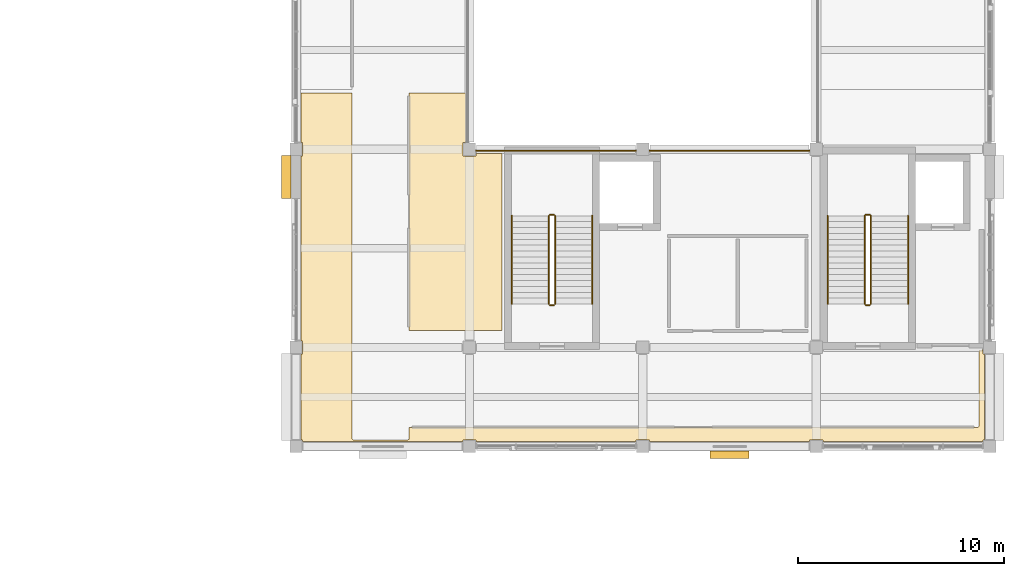
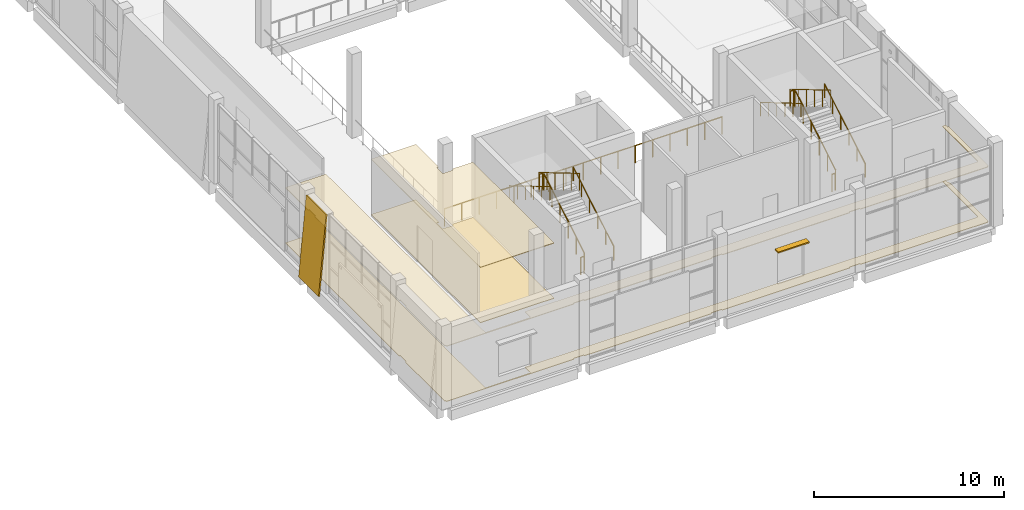
# One storey, part 55 of 57: 13 railings, 5 coverings, 1 shading device.
"""IFC4 building model written with IfcOpenShell, lengths in metres."""

from ifc_helpers import new_model, si_unit, direction, frame, origin, origin_2d, place, context, subcontext, project, spatial, polyline, rectangle, circle, outline, extrude, material, layer, layer_set, type_object, element, save


model = new_model("IFC4")

# Units and contexts
model_context = context("Model", 3, precision=1e-05, world=origin(), true_north=direction((0.0, 1.0)))
body_context = subcontext(model_context, "Body", "Model", "MODEL_VIEW")
ifc_project = project(units=[si_unit("LENGTHUNIT", "METRE"), si_unit("AREAUNIT", "SQUARE_METRE"), si_unit("VOLUMEUNIT", "CUBIC_METRE"), si_unit("PLANEANGLEUNIT", "RADIAN"), si_unit("MASSUNIT", "GRAM", prefix="KILO")], contexts=[model_context])

# Site, building, storey
site_placement = place(None, origin())
site = spatial("IfcSite", under=ifc_project, at=site_placement, CompositionType="ELEMENT")
building_placement = place(site_placement, origin())
building = spatial("IfcBuilding", under=site, at=building_placement, Name="Shalvenor Court Art Gallery", CompositionType="ELEMENT")
storey_placement = place(building_placement, frame((0.0, 0.0, 16.800048828125)))
storey = spatial("IfcBuildingStorey", under=building, at=storey_placement, Name="L03", CompositionType="ELEMENT", Elevation=16.800048828125)

# Coverings
ifc_material_1 = material(Name="Pale Mediterranean limestone cladding", Category="masonry")
ifc_layer_1 = layer(ifc_material_1, 0.080078125, Name="Pale Mediterranean limestone cladding")
ifc_layer_set_1 = layer_set([ifc_layer_1], Name="Pale Mediterranean limestone cladding")
covering_type_1 = type_object("IfcCoveringType", Name="CLD-01", PredefinedType="CLADDING", material=ifc_layer_set_1)
covering_1_placement = place(storey_placement, frame((142.10595703125, 59.699951171875, 0.0), z_axis=(0.0, 0.0, 1.0), x_axis=(0.0, -1.0, 0.0)))
element("IfcCovering", 1, at=covering_1_placement, inside=storey, type_object=covering_type_1, Name="L03 V1 Tapered Limestone Cladding 18", PredefinedType="CLADDING", context=body_context, shape_type="SweptSolid", body=[
    extrude(outline(polyline([(0.0, 0.0), (2.099853515625, 0.0), (2.099853515625, 5.120849609375), (0.0, 5.120849609375), (0.0, 0.0)])), frame((0.0, 0.0, 0.0), z_axis=(0.0, -0.995884398616, 0.090632580198), x_axis=(1.0, 0.0, 0.0)), (0.0, 0.090632580198, -0.995884398616), 0.080322265625),
])
ifc_material_2 = material(Name="Perforated acoustic gypsum gallery ceiling", Category="other")
ifc_layer_2 = layer(ifc_material_2, 0.044921875, Name="Perforated acoustic gypsum gallery ceiling")
ifc_layer_set_2 = layer_set([ifc_layer_2], Name="Perforated acoustic gypsum gallery ceiling")
covering_type_2 = type_object("IfcCoveringType", Name="CLG-01", PredefinedType="CEILING", material=ifc_layer_set_2)
covering_2_placement = place(storey_placement, frame((0.0, 0.0, 3.550048828125)))
element("IfcCovering", 2, at=covering_2_placement, inside=storey, type_object=covering_type_2, Name="L03 Photography Exhibition Gallery Acoustic Ceiling", PredefinedType="CEILING", context=body_context, shape_type="SweptSolid", body=[
    extrude(outline(polyline([(145.5205078125, 45.9921875), (145.521484375, 45.984375), (145.5234375, 45.976806640625), (145.526123046875, 45.969482421875), (145.529296875, 45.96240234375), (145.533447265625, 45.95556640625), (145.5380859375, 45.94921875), (145.54345703125, 45.943359375), (145.54931640625, 45.938232421875), (145.5556640625, 45.93359375), (145.562255859375, 45.929443359375), (145.5693359375, 45.926025390625), (145.576904296875, 45.92333984375), (145.58447265625, 45.92138671875), (145.59228515625, 45.92041015625), (145.60009765625, 45.919921875), (148.199951171875, 45.919921875), (148.207763671875, 45.92041015625), (148.215576171875, 45.92138671875), (148.22314453125, 45.92333984375), (148.230712890625, 45.926025390625), (148.23779296875, 45.929443359375), (148.244384765625, 45.93359375), (148.250732421875, 45.938232421875), (148.256591796875, 45.943359375), (148.26171875, 45.94921875), (148.2666015625, 45.95556640625), (148.2705078125, 45.96240234375), (148.27392578125, 45.969482421875), (148.276611328125, 45.976806640625), (148.278564453125, 45.984375), (148.279541015625, 45.9921875), (148.280029296875, 46.0), (148.280029296875, 46.52001953125), (175.800048828125, 46.52001953125), (175.807861328125, 46.5205078125), (175.815673828125, 46.521484375), (175.8232421875, 46.5234375), (175.83056640625, 46.526123046875), (175.837646484375, 46.529296875), (175.844482421875, 46.533447265625), (175.850830078125, 46.5380859375), (175.856689453125, 46.54345703125), (175.86181640625, 46.54931640625), (175.866455078125, 46.5556640625), (175.87060546875, 46.562255859375), (175.873779296875, 46.5693359375), (175.876708984375, 46.576904296875), (175.87841796875, 46.58447265625), (175.879638671875, 46.59228515625), (175.8798828125, 46.60009765625), (175.8798828125, 50.280029296875), (176.0, 50.280029296875), (176.021484375, 50.281005859375), (176.04296875, 50.2841796875), (176.06396484375, 50.28955078125), (176.080078125, 50.295166015625), (176.080078125, 50.080078125), (176.14990234375, 50.080078125), (176.14990234375, 45.919921875), (176.080078125, 45.919921875), (176.080078125, 45.85009765625), (168.320068359375, 45.85009765625), (168.320068359375, 45.919921875), (167.679931640625, 45.919921875), (167.679931640625, 45.85009765625), (159.919921875, 45.85009765625), (159.919921875, 45.919921875), (159.280029296875, 45.919921875), (159.280029296875, 45.85009765625), (151.52001953125, 45.85009765625), (151.52001953125, 45.919921875), (150.8798828125, 45.919921875), (150.8798828125, 45.85009765625), (143.1201171875, 45.85009765625), (143.1201171875, 45.919921875), (143.050048828125, 45.919921875), (143.050048828125, 50.080078125), (143.1201171875, 50.080078125), (143.1201171875, 50.719970703125), (143.050048828125, 50.719970703125), (143.050048828125, 59.679931640625), (143.1201171875, 59.679931640625), (143.1201171875, 60.320068359375), (143.050048828125, 60.320068359375), (143.050048828125, 62.719970703125), (145.52001953125, 62.719970703125), (145.52001953125, 46.0), (145.5205078125, 45.9921875)])), origin(), (0.0, 0.0, 1.0), 0.044921875),
])
covering_3_placement = place(storey_placement, frame((0.0, 0.0, 3.550048828125)))
element("IfcCovering", 3, at=covering_3_placement, inside=storey, type_object=covering_type_2, Name="L03 Photography Exhibition Gallery Wing B Acoustic Ceiling", PredefinedType="CEILING", context=body_context, shape_type="SweptSolid", body=[
    extrude(outline(polyline([(152.780029296875, 51.22998046875), (148.280029296875, 51.22998046875), (148.280029296875, 62.719970703125), (151.0, 62.719970703125), (151.0, 60.320068359375), (150.8798828125, 60.320068359375), (150.8798828125, 59.679931640625), (151.52001953125, 59.679931640625), (151.52001953125, 59.800048828125), (152.780029296875, 59.800048828125), (152.780029296875, 51.22998046875)])), origin(), (0.0, 0.0, 1.0), 0.044921875),
])
ifc_material_3 = material(Name="Quarter-sawn white oak gallery flooring", Category="wood")
ifc_layer_3 = layer(ifc_material_3, 0.031982421875, Name="Quarter-sawn white oak gallery flooring")
ifc_layer_set_3 = layer_set([ifc_layer_3], Name="Quarter-sawn white oak gallery flooring")
covering_type_3 = type_object("IfcCoveringType", Name="FLR-02", PredefinedType="FLOORING", material=ifc_layer_set_3)
covering_4_placement = place(storey_placement, origin())
element("IfcCovering", 4, at=covering_4_placement, inside=storey, type_object=covering_type_3, Name="L03 Photography Exhibition Gallery Flooring", PredefinedType="FLOORING", context=body_context, shape_type="SweptSolid", body=[
    extrude(outline(polyline([(145.5205078125, 45.9921875), (145.521484375, 45.984375), (145.5234375, 45.976806640625), (145.526123046875, 45.969482421875), (145.529296875, 45.96240234375), (145.533447265625, 45.95556640625), (145.5380859375, 45.94921875), (145.54345703125, 45.943359375), (145.54931640625, 45.938232421875), (145.5556640625, 45.93359375), (145.562255859375, 45.929443359375), (145.5693359375, 45.926025390625), (145.576904296875, 45.92333984375), (145.58447265625, 45.92138671875), (145.59228515625, 45.92041015625), (145.60009765625, 45.919921875), (148.199951171875, 45.919921875), (148.207763671875, 45.92041015625), (148.215576171875, 45.92138671875), (148.22314453125, 45.92333984375), (148.230712890625, 45.926025390625), (148.23779296875, 45.929443359375), (148.244384765625, 45.93359375), (148.250732421875, 45.938232421875), (148.256591796875, 45.943359375), (148.26171875, 45.94921875), (148.2666015625, 45.95556640625), (148.2705078125, 45.96240234375), (148.27392578125, 45.969482421875), (148.276611328125, 45.976806640625), (148.278564453125, 45.984375), (148.279541015625, 45.9921875), (148.280029296875, 46.0), (148.280029296875, 46.52001953125), (175.800048828125, 46.52001953125), (175.807861328125, 46.5205078125), (175.815673828125, 46.521484375), (175.8232421875, 46.5234375), (175.83056640625, 46.526123046875), (175.837646484375, 46.529296875), (175.844482421875, 46.533447265625), (175.850830078125, 46.5380859375), (175.856689453125, 46.54345703125), (175.86181640625, 46.54931640625), (175.866455078125, 46.5556640625), (175.87060546875, 46.562255859375), (175.873779296875, 46.5693359375), (175.876708984375, 46.576904296875), (175.87841796875, 46.58447265625), (175.879638671875, 46.59228515625), (175.8798828125, 46.60009765625), (175.8798828125, 50.280029296875), (176.0, 50.280029296875), (176.021484375, 50.281005859375), (176.04296875, 50.2841796875), (176.06396484375, 50.28955078125), (176.080078125, 50.295166015625), (176.080078125, 50.080078125), (176.14990234375, 50.080078125), (176.14990234375, 45.919921875), (176.080078125, 45.919921875), (176.080078125, 45.85009765625), (168.320068359375, 45.85009765625), (168.320068359375, 45.919921875), (167.679931640625, 45.919921875), (167.679931640625, 45.85009765625), (159.919921875, 45.85009765625), (159.919921875, 45.919921875), (159.280029296875, 45.919921875), (159.280029296875, 45.85009765625), (151.52001953125, 45.85009765625), (151.52001953125, 45.919921875), (150.8798828125, 45.919921875), (150.8798828125, 45.85009765625), (143.1201171875, 45.85009765625), (143.1201171875, 45.919921875), (143.050048828125, 45.919921875), (143.050048828125, 50.080078125), (143.1201171875, 50.080078125), (143.1201171875, 50.719970703125), (143.050048828125, 50.719970703125), (143.050048828125, 59.679931640625), (143.1201171875, 59.679931640625), (143.1201171875, 60.320068359375), (143.050048828125, 60.320068359375), (143.050048828125, 62.719970703125), (145.52001953125, 62.719970703125), (145.52001953125, 46.0), (145.5205078125, 45.9921875)])), origin(), (0.0, 0.0, 1.0), 0.031982421875),
])
covering_5_placement = place(storey_placement, origin())
element("IfcCovering", 5, at=covering_5_placement, inside=storey, type_object=covering_type_3, Name="L03 Photography Exhibition Gallery Wing B Flooring", PredefinedType="FLOORING", context=body_context, shape_type="SweptSolid", body=[
    extrude(outline(polyline([(152.780029296875, 51.22998046875), (148.280029296875, 51.22998046875), (148.280029296875, 62.719970703125), (151.0, 62.719970703125), (151.0, 60.320068359375), (150.8798828125, 60.320068359375), (150.8798828125, 59.679931640625), (151.52001953125, 59.679931640625), (151.52001953125, 59.800048828125), (152.780029296875, 59.800048828125), (152.780029296875, 51.22998046875)])), origin(), (0.0, 0.0, 1.0), 0.031982421875),
])

# Railings
ifc_material_4 = material(Name="Stainless steel and laminated glass balustrade", Category="steel")
railing_type_1 = type_object("IfcRailingType", Name="GR-01", PredefinedType="BALUSTRADE", material=ifc_material_4)
railing_1_placement = place(storey_placement, frame((151.1201171875, 59.919921875, 0.0)))
element("IfcRailing", 6, at=railing_1_placement, inside=storey, type_object=railing_type_1, Name="L03 Atrium Gallery Balustrade 1", PredefinedType="BALUSTRADE", context=body_context, shape_type="SweptSolid", body=[
    extrude(circle(Radius=0.02392578125, at=origin_2d()), frame((0.0, 0.0, 1.09619140625), z_axis=(1.0, 0.0, 0.0), x_axis=(0.0, 1.0, 0.0)), (0.0, 0.0, 1.0), 16.89990234375),
    extrude(circle(Radius=0.02099609375, at=origin_2d()), origin(), (0.0, 0.0, 1.0), 1.072021484375),
    extrude(circle(Radius=0.02099609375, at=origin_2d()), frame((1.05615234375, 0.0, 0.0)), (0.0, 0.0, 1.0), 1.072021484375),
    extrude(circle(Radius=0.02099609375, at=origin_2d()), frame((2.112548828125, 0.0, 0.0)), (0.0, 0.0, 1.0), 1.072021484375),
    extrude(circle(Radius=0.02099609375, at=origin_2d()), frame((3.168701171875, 0.0, 0.0)), (0.0, 0.0, 1.0), 1.072021484375),
    extrude(circle(Radius=0.02099609375, at=origin_2d()), frame((4.22509765625, 0.0, 0.0)), (0.0, 0.0, 1.0), 1.072021484375),
    extrude(circle(Radius=0.02099609375, at=origin_2d()), frame((5.28125, 0.0, 0.0)), (0.0, 0.0, 1.0), 1.072021484375),
    extrude(circle(Radius=0.02099609375, at=origin_2d()), frame((6.33740234375, 0.0, 0.0)), (0.0, 0.0, 1.0), 1.072021484375),
    extrude(circle(Radius=0.02099609375, at=origin_2d()), frame((7.393798828125, 0.0, 0.0)), (0.0, 0.0, 1.0), 1.072021484375),
    extrude(circle(Radius=0.02099609375, at=origin_2d()), frame((8.449951171875, 0.0, 0.0)), (0.0, 0.0, 1.0), 1.072021484375),
    extrude(circle(Radius=0.02099609375, at=origin_2d()), frame((9.506103515625, 0.0, 0.0)), (0.0, 0.0, 1.0), 1.072021484375),
    extrude(circle(Radius=0.02099609375, at=origin_2d()), frame((10.5625, 0.0, 0.0)), (0.0, 0.0, 1.0), 1.072021484375),
    extrude(circle(Radius=0.02099609375, at=origin_2d()), frame((11.61865234375, 0.0, 0.0)), (0.0, 0.0, 1.0), 1.072021484375),
    extrude(circle(Radius=0.02099609375, at=origin_2d()), frame((12.6748046875, 0.0, 0.0)), (0.0, 0.0, 1.0), 1.072021484375),
    extrude(circle(Radius=0.02099609375, at=origin_2d()), frame((13.731201171875, 0.0, 0.0)), (0.0, 0.0, 1.0), 1.072021484375),
    extrude(circle(Radius=0.02099609375, at=origin_2d()), frame((14.787353515625, 0.0, 0.0)), (0.0, 0.0, 1.0), 1.072021484375),
    extrude(circle(Radius=0.02099609375, at=origin_2d()), frame((15.84375, 0.0, 0.0)), (0.0, 0.0, 1.0), 1.072021484375),
    extrude(circle(Radius=0.02099609375, at=origin_2d()), frame((16.89990234375, 0.0, 0.0)), (0.0, 0.0, 1.0), 1.072021484375),
])
ifc_material_5 = material(Name="Painted steel post-and-rail guard", Category="steel")
railing_type_2 = type_object("IfcRailingType", Name="GR-02", PredefinedType="GUARDRAIL", material=ifc_material_5)
railing_2_placement = place(storey_placement, frame((170.64990234375, 52.5, 0.168701171875)))
element("IfcRailing", 7, at=railing_2_placement, inside=storey, type_object=railing_type_2, Name="L03 ST-02 Stair Guard 1", PredefinedType="GUARDRAIL", context=body_context, shape_type="SweptSolid", body=[
    extrude(circle(Radius=0.02392578125, at=origin_2d()), frame((0.0, 0.0, 1.09619140625), z_axis=(0.0, 0.860470286479, 0.509500624227), x_axis=(-1.0, 0.0, 0.0)), (0.0, 0.0, 1.0), 4.968017578125),
    extrude(circle(Radius=0.02099609375, at=origin_2d()), origin(), (0.0, 0.0, 1.0), 1.072021484375),
    extrude(circle(Radius=0.02099609375, at=origin_2d()), frame((0.0, 0.85498046875, 0.50634765625)), (0.0, 0.0, 1.0), 1.072021484375),
    extrude(circle(Radius=0.02099609375, at=origin_2d()), frame((0.0, 1.7099609375, 1.012451171875)), (0.0, 0.0, 1.0), 1.072021484375),
    extrude(circle(Radius=0.02099609375, at=origin_2d()), frame((0.0, 2.56494140625, 1.518798828125)), (0.0, 0.0, 1.0), 1.072021484375),
    extrude(circle(Radius=0.02099609375, at=origin_2d()), frame((0.0, 3.419921875, 2.02490234375)), (0.0, 0.0, 1.0), 1.072021484375),
    extrude(circle(Radius=0.02099609375, at=origin_2d()), frame((0.0, 4.27490234375, 2.53125)), (0.0, 0.0, 1.0), 1.072021484375),
])
railing_3_placement = place(storey_placement, frame((170.60009765625, 56.824951171875, 2.699951171875)))
element("IfcRailing", 8, at=railing_3_placement, inside=storey, type_object=railing_type_2, Name="L03 ST-02 Stair Guard 2", PredefinedType="GUARDRAIL", context=body_context, shape_type="SweptSolid", body=[
    extrude(circle(Radius=0.02392578125, at=origin_2d()), frame((0.0, 0.0, 1.09619140625), z_axis=(-1.0, 0.0, 0.0), x_axis=(0.0, -1.0, 0.0)), (0.0, 0.0, 1.0), 0.2001953125),
    extrude(circle(Radius=0.02099609375, at=origin_2d()), origin(), (0.0, 0.0, 1.0), 1.072021484375),
    extrude(circle(Radius=0.02099609375, at=origin_2d()), frame((-0.2001953125, 0.0, 0.0)), (0.0, 0.0, 1.0), 1.072021484375),
])
railing_4_placement = place(storey_placement, frame((170.35009765625, 56.77490234375, 2.86865234375)))
element("IfcRailing", 9, at=railing_4_placement, inside=storey, type_object=railing_type_2, Name="L03 ST-02 Stair Guard 3", PredefinedType="GUARDRAIL", context=body_context, shape_type="SweptSolid", body=[
    extrude(circle(Radius=0.02392578125, at=origin_2d()), frame((0.0, 0.0, 1.09619140625), z_axis=(0.0, -0.860470286479, 0.509500624227), x_axis=(1.0, 0.0, 0.0)), (0.0, 0.0, 1.0), 4.968017578125),
    extrude(circle(Radius=0.02099609375, at=origin_2d()), origin(), (0.0, 0.0, 1.0), 1.072021484375),
    extrude(circle(Radius=0.02099609375, at=origin_2d()), frame((0.0, -0.85498046875, 0.50634765625)), (0.0, 0.0, 1.0), 1.072021484375),
    extrude(circle(Radius=0.02099609375, at=origin_2d()), frame((0.0, -1.7099609375, 1.012451171875)), (0.0, 0.0, 1.0), 1.072021484375),
    extrude(circle(Radius=0.02099609375, at=origin_2d()), frame((0.0, -2.56494140625, 1.518798828125)), (0.0, 0.0, 1.0), 1.072021484375),
    extrude(circle(Radius=0.02099609375, at=origin_2d()), frame((0.0, -3.419921875, 2.02490234375)), (0.0, 0.0, 1.0), 1.072021484375),
    extrude(circle(Radius=0.02099609375, at=origin_2d()), frame((0.0, -4.27490234375, 2.53125)), (0.0, 0.0, 1.0), 1.072021484375),
])
railing_5_placement = place(storey_placement, frame((170.60009765625, 52.449951171875, 0.0)))
element("IfcRailing", 10, at=railing_5_placement, inside=storey, type_object=railing_type_2, Name="L03 ST-02 Stair Guard 4", PredefinedType="GUARDRAIL", context=body_context, shape_type="SweptSolid", body=[
    extrude(circle(Radius=0.02392578125, at=origin_2d()), frame((0.0, 0.0, 1.09619140625), z_axis=(-1.0, 0.0, 0.0), x_axis=(0.0, -1.0, 0.0)), (0.0, 0.0, 1.0), 0.2001953125),
    extrude(circle(Radius=0.02099609375, at=origin_2d()), origin(), (0.0, 0.0, 1.0), 1.072021484375),
    extrude(circle(Radius=0.02099609375, at=origin_2d()), frame((-0.2001953125, 0.0, 0.0)), (0.0, 0.0, 1.0), 1.072021484375),
])
railing_6_placement = place(storey_placement, frame((155.35009765625, 52.5, 0.168701171875)))
element("IfcRailing", 11, at=railing_6_placement, inside=storey, type_object=railing_type_2, Name="L03 ST-03 Stair Guard 1", PredefinedType="GUARDRAIL", context=body_context, shape_type="SweptSolid", body=[
    extrude(circle(Radius=0.02392578125, at=origin_2d()), frame((0.0, 0.0, 1.09619140625), z_axis=(0.0, 0.860470286479, 0.509500624227), x_axis=(-1.0, 0.0, 0.0)), (0.0, 0.0, 1.0), 4.968017578125),
    extrude(circle(Radius=0.02099609375, at=origin_2d()), origin(), (0.0, 0.0, 1.0), 1.072021484375),
    extrude(circle(Radius=0.02099609375, at=origin_2d()), frame((0.0, 0.85498046875, 0.50634765625)), (0.0, 0.0, 1.0), 1.072021484375),
    extrude(circle(Radius=0.02099609375, at=origin_2d()), frame((0.0, 1.7099609375, 1.012451171875)), (0.0, 0.0, 1.0), 1.072021484375),
    extrude(circle(Radius=0.02099609375, at=origin_2d()), frame((0.0, 2.56494140625, 1.518798828125)), (0.0, 0.0, 1.0), 1.072021484375),
    extrude(circle(Radius=0.02099609375, at=origin_2d()), frame((0.0, 3.419921875, 2.02490234375)), (0.0, 0.0, 1.0), 1.072021484375),
    extrude(circle(Radius=0.02099609375, at=origin_2d()), frame((0.0, 4.27490234375, 2.53125)), (0.0, 0.0, 1.0), 1.072021484375),
])
railing_7_placement = place(storey_placement, frame((155.300048828125, 56.824951171875, 2.699951171875)))
element("IfcRailing", 12, at=railing_7_placement, inside=storey, type_object=railing_type_2, Name="L03 ST-03 Stair Guard 2", PredefinedType="GUARDRAIL", context=body_context, shape_type="SweptSolid", body=[
    extrude(circle(Radius=0.02392578125, at=origin_2d()), frame((0.0, 0.0, 1.09619140625), z_axis=(-1.0, 0.0, 0.0), x_axis=(0.0, -1.0, 0.0)), (0.0, 0.0, 1.0), 0.199951171875),
    extrude(circle(Radius=0.02099609375, at=origin_2d()), origin(), (0.0, 0.0, 1.0), 1.072021484375),
    extrude(circle(Radius=0.02099609375, at=origin_2d()), frame((-0.199951171875, 0.0, 0.0)), (0.0, 0.0, 1.0), 1.072021484375),
])
railing_8_placement = place(storey_placement, frame((155.050048828125, 56.77490234375, 2.86865234375)))
element("IfcRailing", 13, at=railing_8_placement, inside=storey, type_object=railing_type_2, Name="L03 ST-03 Stair Guard 3", PredefinedType="GUARDRAIL", context=body_context, shape_type="SweptSolid", body=[
    extrude(circle(Radius=0.02392578125, at=origin_2d()), frame((0.0, 0.0, 1.09619140625), z_axis=(0.0, -0.860470286479, 0.509500624227), x_axis=(1.0, 0.0, 0.0)), (0.0, 0.0, 1.0), 4.968017578125),
    extrude(circle(Radius=0.02099609375, at=origin_2d()), origin(), (0.0, 0.0, 1.0), 1.072021484375),
    extrude(circle(Radius=0.02099609375, at=origin_2d()), frame((0.0, -0.85498046875, 0.50634765625)), (0.0, 0.0, 1.0), 1.072021484375),
    extrude(circle(Radius=0.02099609375, at=origin_2d()), frame((0.0, -1.7099609375, 1.012451171875)), (0.0, 0.0, 1.0), 1.072021484375),
    extrude(circle(Radius=0.02099609375, at=origin_2d()), frame((0.0, -2.56494140625, 1.518798828125)), (0.0, 0.0, 1.0), 1.072021484375),
    extrude(circle(Radius=0.02099609375, at=origin_2d()), frame((0.0, -3.419921875, 2.02490234375)), (0.0, 0.0, 1.0), 1.072021484375),
    extrude(circle(Radius=0.02099609375, at=origin_2d()), frame((0.0, -4.27490234375, 2.53125)), (0.0, 0.0, 1.0), 1.072021484375),
])
railing_9_placement = place(storey_placement, frame((155.300048828125, 52.449951171875, 0.0)))
element("IfcRailing", 14, at=railing_9_placement, inside=storey, type_object=railing_type_2, Name="L03 ST-03 Stair Guard 4", PredefinedType="GUARDRAIL", context=body_context, shape_type="SweptSolid", body=[
    extrude(circle(Radius=0.02392578125, at=origin_2d()), frame((0.0, 0.0, 1.09619140625), z_axis=(-1.0, 0.0, 0.0), x_axis=(0.0, -1.0, 0.0)), (0.0, 0.0, 1.0), 0.199951171875),
    extrude(circle(Radius=0.02099609375, at=origin_2d()), origin(), (0.0, 0.0, 1.0), 1.072021484375),
    extrude(circle(Radius=0.02099609375, at=origin_2d()), frame((-0.199951171875, 0.0, 0.0)), (0.0, 0.0, 1.0), 1.072021484375),
])
ifc_material_6 = material(Name="Brushed stainless steel handrail", Category="steel")
railing_type_3 = type_object("IfcRailingType", Name="HR-01", PredefinedType="HANDRAIL", material=ifc_material_6)
railing_10_placement = place(storey_placement, frame((172.449951171875, 52.5, 0.168701171875)))
element("IfcRailing", 15, at=railing_10_placement, inside=storey, type_object=railing_type_3, Name="L03 ST-02 Stair Handrail 1", PredefinedType="HANDRAIL", context=body_context, shape_type="SweptSolid", body=[
    extrude(circle(Radius=0.02392578125, at=origin_2d()), frame((0.0, 0.0, 0.8759765625), z_axis=(0.0, 0.860470286479, 0.509500624227), x_axis=(-1.0, 0.0, 0.0)), (0.0, 0.0, 1.0), 4.968017578125),
    extrude(circle(Radius=0.02099609375, at=origin_2d()), origin(), (0.0, 0.0, 1.0), 0.851806640625),
    extrude(circle(Radius=0.02099609375, at=origin_2d()), frame((0.0, 0.85498046875, 0.50634765625)), (0.0, 0.0, 1.0), 0.851806640625),
    extrude(circle(Radius=0.02099609375, at=origin_2d()), frame((0.0, 1.7099609375, 1.012451171875)), (0.0, 0.0, 1.0), 0.851806640625),
    extrude(circle(Radius=0.02099609375, at=origin_2d()), frame((0.0, 2.56494140625, 1.518798828125)), (0.0, 0.0, 1.0), 0.851806640625),
    extrude(circle(Radius=0.02099609375, at=origin_2d()), frame((0.0, 3.419921875, 2.02490234375)), (0.0, 0.0, 1.0), 0.851806640625),
    extrude(circle(Radius=0.02099609375, at=origin_2d()), frame((0.0, 4.27490234375, 2.53125)), (0.0, 0.0, 1.0), 0.851806640625),
])
railing_11_placement = place(storey_placement, frame((168.550048828125, 56.77490234375, 2.86865234375)))
element("IfcRailing", 16, at=railing_11_placement, inside=storey, type_object=railing_type_3, Name="L03 ST-02 Stair Handrail 2", PredefinedType="HANDRAIL", context=body_context, shape_type="SweptSolid", body=[
    extrude(circle(Radius=0.02392578125, at=origin_2d()), frame((0.0, 0.0, 0.8759765625), z_axis=(0.0, -0.860470286479, 0.509500624227), x_axis=(1.0, 0.0, 0.0)), (0.0, 0.0, 1.0), 4.968017578125),
    extrude(circle(Radius=0.02099609375, at=origin_2d()), origin(), (0.0, 0.0, 1.0), 0.851806640625),
    extrude(circle(Radius=0.02099609375, at=origin_2d()), frame((0.0, -0.85498046875, 0.50634765625)), (0.0, 0.0, 1.0), 0.851806640625),
    extrude(circle(Radius=0.02099609375, at=origin_2d()), frame((0.0, -1.7099609375, 1.012451171875)), (0.0, 0.0, 1.0), 0.851806640625),
    extrude(circle(Radius=0.02099609375, at=origin_2d()), frame((0.0, -2.56494140625, 1.518798828125)), (0.0, 0.0, 1.0), 0.851806640625),
    extrude(circle(Radius=0.02099609375, at=origin_2d()), frame((0.0, -3.419921875, 2.02490234375)), (0.0, 0.0, 1.0), 0.851806640625),
    extrude(circle(Radius=0.02099609375, at=origin_2d()), frame((0.0, -4.27490234375, 2.53125)), (0.0, 0.0, 1.0), 0.851806640625),
])
railing_12_placement = place(storey_placement, frame((157.14990234375, 52.5, 0.168701171875)))
element("IfcRailing", 17, at=railing_12_placement, inside=storey, type_object=railing_type_3, Name="L03 ST-03 Stair Handrail 1", PredefinedType="HANDRAIL", context=body_context, shape_type="SweptSolid", body=[
    extrude(circle(Radius=0.02392578125, at=origin_2d()), frame((0.0, 0.0, 0.8759765625), z_axis=(0.0, 0.860470286479, 0.509500624227), x_axis=(-1.0, 0.0, 0.0)), (0.0, 0.0, 1.0), 4.968017578125),
    extrude(circle(Radius=0.02099609375, at=origin_2d()), origin(), (0.0, 0.0, 1.0), 0.851806640625),
    extrude(circle(Radius=0.02099609375, at=origin_2d()), frame((0.0, 0.85498046875, 0.50634765625)), (0.0, 0.0, 1.0), 0.851806640625),
    extrude(circle(Radius=0.02099609375, at=origin_2d()), frame((0.0, 1.7099609375, 1.012451171875)), (0.0, 0.0, 1.0), 0.851806640625),
    extrude(circle(Radius=0.02099609375, at=origin_2d()), frame((0.0, 2.56494140625, 1.518798828125)), (0.0, 0.0, 1.0), 0.851806640625),
    extrude(circle(Radius=0.02099609375, at=origin_2d()), frame((0.0, 3.419921875, 2.02490234375)), (0.0, 0.0, 1.0), 0.851806640625),
    extrude(circle(Radius=0.02099609375, at=origin_2d()), frame((0.0, 4.27490234375, 2.53125)), (0.0, 0.0, 1.0), 0.851806640625),
])
railing_13_placement = place(storey_placement, frame((153.25, 56.77490234375, 2.86865234375)))
element("IfcRailing", 18, at=railing_13_placement, inside=storey, type_object=railing_type_3, Name="L03 ST-03 Stair Handrail 2", PredefinedType="HANDRAIL", context=body_context, shape_type="SweptSolid", body=[
    extrude(circle(Radius=0.02392578125, at=origin_2d()), frame((0.0, 0.0, 0.8759765625), z_axis=(0.0, -0.860470286479, 0.509500624227), x_axis=(1.0, 0.0, 0.0)), (0.0, 0.0, 1.0), 4.968017578125),
    extrude(circle(Radius=0.02099609375, at=origin_2d()), origin(), (0.0, 0.0, 1.0), 0.851806640625),
    extrude(circle(Radius=0.02099609375, at=origin_2d()), frame((0.0, -0.85498046875, 0.50634765625)), (0.0, 0.0, 1.0), 0.851806640625),
    extrude(circle(Radius=0.02099609375, at=origin_2d()), frame((0.0, -1.7099609375, 1.012451171875)), (0.0, 0.0, 1.0), 0.851806640625),
    extrude(circle(Radius=0.02099609375, at=origin_2d()), frame((0.0, -2.56494140625, 1.518798828125)), (0.0, 0.0, 1.0), 0.851806640625),
    extrude(circle(Radius=0.02099609375, at=origin_2d()), frame((0.0, -3.419921875, 2.02490234375)), (0.0, 0.0, 1.0), 0.851806640625),
    extrude(circle(Radius=0.02099609375, at=origin_2d()), frame((0.0, -4.27490234375, 2.53125)), (0.0, 0.0, 1.0), 0.851806640625),
])

# Shading device
ifc_material_7 = material(Name="Dark anodised bronze aluminium louvre", Category="aluminium")
shading_device_type = type_object("IfcShadingDeviceType", Name="SHD-01", PredefinedType="JALOUSIE", material=ifc_material_7)
shading_device_placement = place(storey_placement, frame((163.800048828125, 45.2099609375, 3.14990234375), z_axis=(0.0, 0.0, 1.0), x_axis=(-1.0, 0.0, 0.0)))
element("IfcShadingDevice", 19, at=shading_device_placement, inside=storey, type_object=shading_device_type, Name="L03 Koushi Window Sunshade 15", PredefinedType="JALOUSIE", context=body_context, shape_type="SweptSolid", body=[
    extrude(rectangle(XDim=1.89990234375, YDim=0.360107421875, at=origin_2d()), origin(), (0.0, 0.0, 1.0), 0.080078125),
])

save(model, "model.ifc")
